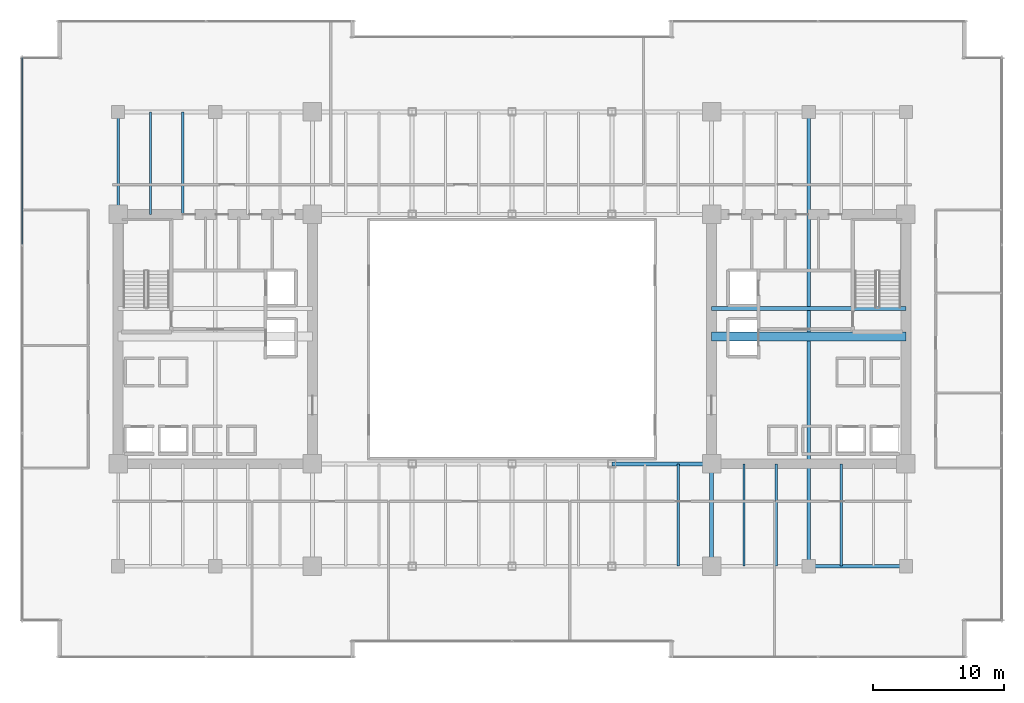
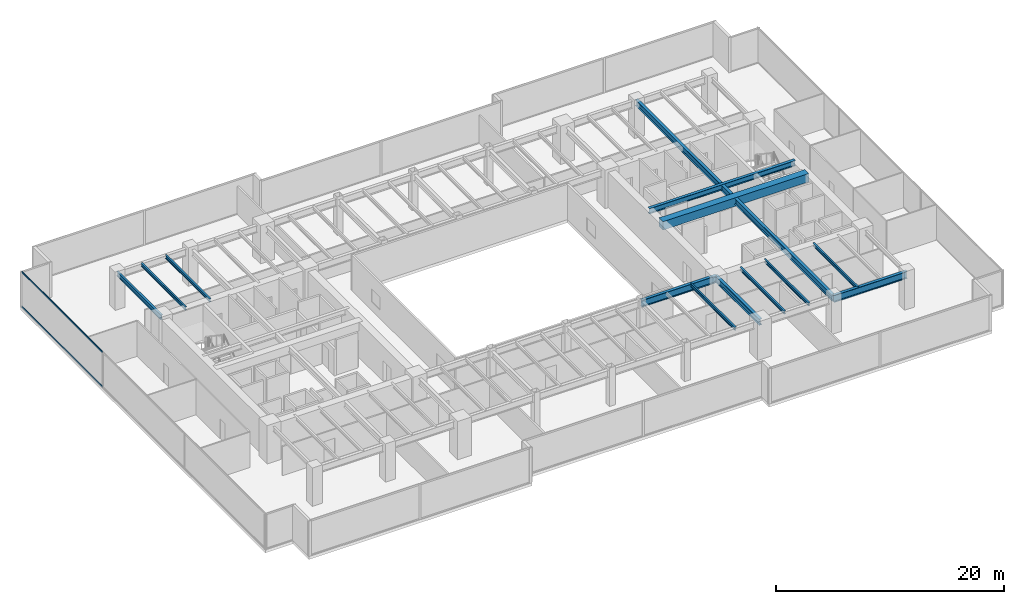
# One storey, part 11 of 35: 13 beams, 2 members, 1 element without a shape of its own.
"""IFC4 building model written with IfcOpenShell, lengths in metres."""

import ifcopenshell
import ifcopenshell.guid

model = None  # the IFC model being written
_history = None  # IfcOwnerHistory: only IFC2X3 demands one
_inside = {}  # id of a spatial element -> (the spatial element, [elements in it])
_under = {}  # id of a project, library or spatial element -> (it, [spatial elements below it])
_declared = {}  # id of a project -> (the project, [libraries it declares])
_typed = {}  # id of a type object -> (the type object, [elements of that type])
_made_of = {}  # id of a material, layer set ... -> (it, [elements and type objects made of it])


def new_model(schema):
    """Start an empty IFC model of exactly this schema.

    Asked for "IFC4X3", IfcOpenShell would pick the latest addendum, in which some entities
    have other attributes; the version numbers below select the first issue.
    IFC2X3 requires an IfcOwnerHistory on every rooted entity: one is made here for all.
    """
    global model, _history
    if schema == "IFC4X3":
        model = ifcopenshell.file(schema_version=(4, 3, 0, 0))
    else:
        model = ifcopenshell.file(schema=schema)
    _inside.clear()
    _under.clear()
    _declared.clear()
    _typed.clear()
    _made_of.clear()
    _history = None
    if model.schema == "IFC2X3":
        org = make("IfcOrganization", Name="unknown")
        user = make(
            "IfcPersonAndOrganization",
            ThePerson=make("IfcPerson", FamilyName="unknown"),
            TheOrganization=org,
        )
        app = make(
            "IfcApplication",
            ApplicationDeveloper=org,
            Version="unknown",
            ApplicationFullName="unknown",
            ApplicationIdentifier="unknown",
        )
        _history = make(
            "IfcOwnerHistory",
            OwningUser=user,
            OwningApplication=app,
            ChangeAction="ADDED",
            CreationDate=0,
        )
    return model


def make(cls, **values):
    """One entity of the class cls with the attributes given. An attribute that is None is left unset."""
    return model.create_entity(
        cls, **{name: value for name, value in values.items() if value is not None}
    )


def rooted(cls, **values):
    """An entity with a GlobalId (a new one), such as an element, a storey or a relation."""
    return make(cls, GlobalId=ifcopenshell.guid.new(), OwnerHistory=_history, **values)


def si_unit(unit_type, name, prefix=None):
    """IfcSIUnit, for example si_unit("LENGTHUNIT", "METRE", prefix="MILLI")."""
    return make("IfcSIUnit", UnitType=unit_type, Prefix=prefix, Name=name)


def assignment(units):
    """IfcUnitAssignment: the units of a project."""
    return None if units is None else make("IfcUnitAssignment", Units=units)


def point(xyz):
    """IfcCartesianPoint."""
    return None if xyz is None else make("IfcCartesianPoint", Coordinates=xyz)


def direction(xyz):
    """IfcDirection."""
    return None if xyz is None else make("IfcDirection", DirectionRatios=xyz)


def frame(location, z_axis=None, x_axis=None):
    """IfcAxis2Placement3D, a coordinate frame: its origin and axes. An axis left out is left unset."""
    return make(
        "IfcAxis2Placement3D",
        Location=point(location),
        Axis=direction(z_axis),
        RefDirection=direction(x_axis),
    )


def frame_2d(location, x_axis=None):
    """IfcAxis2Placement2D, a coordinate frame in the plane: its origin and x axis."""
    return make(
        "IfcAxis2Placement2D", Location=point(location), RefDirection=direction(x_axis)
    )


def origin():
    """The frame at (0, 0, 0) with its axes left unset."""
    return frame((0.0, 0.0, 0.0))


def origin_2d():
    """The frame at (0, 0) in the plane with its x axis left unset."""
    return frame_2d((0.0, 0.0))


def place(relative_to, where):
    """IfcLocalPlacement: puts the frame where relative to a parent placement (None: the world)."""
    return make(
        "IfcLocalPlacement", PlacementRelTo=relative_to, RelativePlacement=where
    )


def context(
    kind, dimensions, precision=None, world=None, true_north=None, identifier=None
):
    """IfcGeometricRepresentationContext, for example the 3D "Model" context."""
    return make(
        "IfcGeometricRepresentationContext",
        ContextIdentifier=identifier,
        ContextType=kind,
        CoordinateSpaceDimension=dimensions,
        Precision=precision,
        WorldCoordinateSystem=world,
        TrueNorth=true_north,
    )


def subcontext(parent, identifier, kind, view, scale=None):
    """IfcGeometricRepresentationSubContext, for example "Body" below "Model"."""
    return make(
        "IfcGeometricRepresentationSubContext",
        ContextIdentifier=identifier,
        ContextType=kind,
        ParentContext=parent,
        TargetScale=scale,
        TargetView=view,
    )


def project(units=None, contexts=None):
    """IfcProject with its units and contexts."""
    return rooted(
        "IfcProject",
        Name="project",
        RepresentationContexts=contexts,
        UnitsInContext=assignment(units),
    )


def spatial(cls, under=None, at=None, **own):
    """A site, building, storey or space (cls), placed at a placement, below another one or the project."""
    s = rooted(cls, ObjectPlacement=at, **own)
    if under is not None:
        _under.setdefault(under.id(), (under, []))[1].append(s)
    return s


def profile(cls, at=None, kind="AREA", **sizes):
    """A parametric profile (cls). Its sizes go by their IFC names, for example OverallWidth=200.0."""
    return make(cls, ProfileType=kind, Position=at, **sizes)


def rectangle(**sizes):
    """IfcRectangleProfileDef."""
    return profile("IfcRectangleProfileDef", **sizes)


def hollow_rectangle(**sizes):
    """IfcRectangleHollowProfileDef."""
    return profile("IfcRectangleHollowProfileDef", **sizes)


def i_section(**sizes):
    """IfcIShapeProfileDef."""
    return profile("IfcIShapeProfileDef", **sizes)


def extrude(swept, where, along, depth):
    """IfcExtrudedAreaSolid: the profile swept, set in the frame where, extruded along a direction by depth."""
    return make(
        "IfcExtrudedAreaSolid",
        SweptArea=swept,
        Position=where,
        ExtrudedDirection=direction(along),
        Depth=depth,
    )


def shape(context_of_items, identifier, shape_type, items):
    """IfcShapeRepresentation: the items that make up one representation, for example the "Body"."""
    return make(
        "IfcShapeRepresentation",
        ContextOfItems=context_of_items,
        RepresentationIdentifier=identifier,
        RepresentationType=shape_type,
        Items=items,
    )


def source(mapping_origin, context_of_items, identifier, shape_type, items):
    """IfcRepresentationMap: a shape defined once, which mapped items show again and again."""
    return make(
        "IfcRepresentationMap",
        MappingOrigin=mapping_origin,
        MappedRepresentation=shape(context_of_items, identifier, shape_type, items),
    )


def transform(
    local_origin,
    x_axis=None,
    y_axis=None,
    z_axis=None,
    scale=None,
    scale2=None,
    scale3=None,
    uniform=True,
):
    """IfcCartesianTransformationOperator3D, or its non-uniform kind. x_axis, y_axis, z_axis: its Axis1, 2, 3."""
    if uniform:
        return make(
            "IfcCartesianTransformationOperator3D",
            Axis1=direction(x_axis),
            Axis2=direction(y_axis),
            LocalOrigin=point(local_origin),
            Scale=scale,
            Axis3=direction(z_axis),
        )
    return make(
        "IfcCartesianTransformationOperator3DnonUniform",
        Axis1=direction(x_axis),
        Axis2=direction(y_axis),
        LocalOrigin=point(local_origin),
        Scale=scale,
        Axis3=direction(z_axis),
        Scale2=scale2,
        Scale3=scale3,
    )


def mapped(mapping_source, mapping_target):
    """IfcMappedItem: shows the shape of a source again, moved by a transform."""
    return make(
        "IfcMappedItem", MappingSource=mapping_source, MappingTarget=mapping_target
    )


def material(Name=None, Category=None):
    """IfcMaterial."""
    return make("IfcMaterial", Name=Name, Category=Category)


def layer(
    of_material, thickness, ventilated=None, Name=None, Category=None, Priority=None
):
    """IfcMaterialLayer: one layer of a wall or slab, of a material (None: an air gap)."""
    return make(
        "IfcMaterialLayer",
        Material=of_material,
        LayerThickness=thickness,
        IsVentilated=ventilated,
        Name=Name,
        Category=Category,
        Priority=Priority,
    )


def layer_set(layers, Name=None):
    """IfcMaterialLayerSet."""
    return make("IfcMaterialLayerSet", MaterialLayers=layers, LayerSetName=Name)


def material_profile(
    of_material, cross_section, Name=None, Category=None, Priority=None
):
    """IfcMaterialProfile: a cross section and its material."""
    return make(
        "IfcMaterialProfile",
        Name=Name,
        Material=of_material,
        Profile=cross_section,
        Priority=Priority,
        Category=Category,
    )


def profile_set(profiles, Name=None, composite=None):
    """IfcMaterialProfileSet."""
    return make(
        "IfcMaterialProfileSet",
        Name=Name,
        MaterialProfiles=profiles,
        CompositeProfile=composite,
    )


def made_of(thing, what):
    """Note that an element or type object is made of a material, layer set ...; save() writes the relation."""
    if what is not None:
        _made_of.setdefault(what.id(), (what, []))[1].append(thing)
    return thing


def type_object(cls, material=None, **own):
    """A type object (cls), such as IfcWallType, which elements share."""
    return made_of(rooted(cls, **own), material)


def type_shapes(of_type, sources):
    """Give a type object the sources (RepresentationMaps) that its elements show as mapped items."""
    of_type.RepresentationMaps = sources


def element(
    cls,
    number,
    at=None,
    inside=None,
    cuts=None,
    type_object=None,
    material=None,
    context=None,
    identifier="Body",
    shape_type=None,
    held_by="IfcProductDefinitionShape",
    body=None,
    shapes=None,
    **own,
):
    """One element of the class cls, such as IfcWall. Its Tag is "e" and its number.

    at: its placement. inside: the storey or other place that contains it. cuts: it is an
    opening in that element (IfcRelVoidsElement). A single representation is given by context,
    identifier, shape_type and body (its items); several are given by shapes. held_by: the class
    of the entity that holds the representations. save() writes the other relations.
    """
    e = rooted(cls, Tag="e%d" % number, ObjectPlacement=at, **own)
    if body is not None:
        shapes = [shape(context, identifier, shape_type, body)]
    if shapes is not None:
        e.Representation = make(held_by, Representations=shapes)
    if inside is not None:
        _inside.setdefault(inside.id(), (inside, []))[1].append(e)
    if cuts is not None:
        rooted(
            "IfcRelVoidsElement", RelatingBuildingElement=cuts, RelatedOpeningElement=e
        )
    if type_object is not None:
        _typed.setdefault(type_object.id(), (type_object, []))[1].append(e)
    return made_of(e, material)


def aggregate(whole, parts):
    """IfcRelAggregates: a whole, such as a stair, and the parts it consists of."""
    return rooted("IfcRelAggregates", RelatingObject=whole, RelatedObjects=parts)


def save(model, path):
    """Write the relations noted so far, then the file.

    IfcRelAggregates (storeys below a building ...), IfcRelContainedInSpatialStructure (elements
    in a storey), IfcRelDefinesByType, IfcRelAssociatesMaterial and IfcRelDeclares: one each for
    every whole, place, type object, material and project.
    """
    for whole, parts in _under.values():
        aggregate(whole, parts)
    for where, things in _inside.values():
        rooted(
            "IfcRelContainedInSpatialStructure",
            RelatedElements=things,
            RelatingStructure=where,
        )
    for kind, things in _typed.values():
        rooted("IfcRelDefinesByType", RelatedObjects=things, RelatingType=kind)
    for what, things in _made_of.values():
        rooted("IfcRelAssociatesMaterial", RelatedObjects=things, RelatingMaterial=what)
    for by, libraries in _declared.values():
        rooted("IfcRelDeclares", RelatingContext=by, RelatedDefinitions=libraries)
    model.write(path)


model = new_model("IFC4")

# Units and contexts
model_context = context("Model", 3, precision=1e-05, world=origin(), true_north=direction((0.0, 1.0)))
body_context = subcontext(model_context, "Body", "Model", "MODEL_VIEW")
ifc_project = project(units=[si_unit("LENGTHUNIT", "METRE"), si_unit("AREAUNIT", "SQUARE_METRE"), si_unit("VOLUMEUNIT", "CUBIC_METRE"), si_unit("PLANEANGLEUNIT", "RADIAN"), si_unit("MASSUNIT", "GRAM", prefix="KILO")], contexts=[model_context])

# Site, building, storey
site_placement = place(None, origin())
site = spatial("IfcSite", under=ifc_project, at=site_placement, CompositionType="ELEMENT")
building_placement = place(site_placement, origin())
building = spatial("IfcBuilding", under=site, at=building_placement, Name="Haelvirn Gate Laboratories", CompositionType="ELEMENT")
storey_placement = place(building_placement, frame((0.0, 0.0, 82.60009765625)))
storey = spatial("IfcBuildingStorey", under=building, at=storey_placement, Name="L20", CompositionType="ELEMENT", Elevation=82.60009765625)

# Beams
ifc_material_1 = material(Name="Concrete C60/75", Category="concrete")
ifc_material_profile_1 = material_profile(ifc_material_1, rectangle(XDim=0.699951171875, YDim=0.89990234375, at=origin_2d()), Name="RCB-700x900")
ifc_profile_set_1 = profile_set([ifc_material_profile_1], Name="Concrete C60/75")
beam_type_1 = type_object("IfcBeamType", Name="BM-RCB-900", PredefinedType="LINTEL", material=ifc_profile_set_1)
shared_shape_1 = source(origin(), body_context, "Body", "SweptSolid", [
    extrude(rectangle(XDim=0.699951171875, YDim=0.89990234375, at=origin_2d()), origin(), (0.0, 0.0, 1.0), 14.7998046875),
])
type_shapes(beam_type_1, [shared_shape_1])
beam_1_placement = place(storey_placement, frame((52.60009765625, 24.5, 3.329833984375), z_axis=(1.0, 0.0, 0.0), x_axis=(0.0, 1.0, 0.0)))
element("IfcBeam", 1, at=beam_1_placement, inside=storey, type_object=beam_type_1, Name="L20 East Core Coupling Beam", PredefinedType="LINTEL", context=body_context, shape_type="MappedRepresentation", body=[
    mapped(shared_shape_1, transform((0.0, 0.0, 0.0), scale=1.0)),
])
ifc_material_2 = material(Name="Steel SM355", Category="steel")
ifc_material_profile_2 = material_profile(ifc_material_2, i_section(OverallWidth=0.300048828125, OverallDepth=0.587890625, WebThickness=0.011962890625, FlangeThickness=0.02001953125, at=origin_2d()), Name="H-588x300x12x20")
ifc_profile_set_2 = profile_set([ifc_material_profile_2], Name="Steel SM355")
beam_type_2 = type_object("IfcBeamType", Name="BM-G-588", PredefinedType="BEAM", material=ifc_profile_set_2)
shared_shape_2 = source(origin(), body_context, "Body", "SweptSolid", [
    extrude(i_section(OverallWidth=0.300048828125, OverallDepth=0.587890625, WebThickness=0.011962890625, FlangeThickness=0.02001953125, at=origin_2d()), origin(), (0.0, 0.0, 1.0), 14.7998046875),
])
type_shapes(beam_type_2, [shared_shape_2])
beam_2_placement = place(storey_placement, frame((52.60009765625, 26.6201171875, 3.48583984375), z_axis=(1.0, 0.0, 0.0), x_axis=(0.0, 1.0, 0.0)))
element("IfcBeam", 2, at=beam_2_placement, inside=storey, type_object=beam_type_2, Name="L20 Stair ST2 Landing Header", PredefinedType="BEAM", context=body_context, shape_type="MappedRepresentation", body=[
    mapped(shared_shape_2, transform((0.0, 0.0, 0.0), scale=1.0)),
])
ifc_material_profile_3 = material_profile(ifc_material_2, i_section(OverallWidth=0.300048828125, OverallDepth=0.75, WebThickness=0.013916015625, FlangeThickness=0.02392578125, at=origin_2d()), Name="H-750x300x14x24")
ifc_profile_set_3 = profile_set([ifc_material_profile_3], Name="Steel SM355")
beam_type_3 = type_object("IfcBeamType", Name="BM-G-750", PredefinedType="BEAM", material=ifc_profile_set_3)
shared_shape_3 = source(origin(), body_context, "Body", "SweptSolid", [
    extrude(i_section(OverallWidth=0.300048828125, OverallDepth=0.75, WebThickness=0.013916015625, FlangeThickness=0.02392578125, at=origin_2d()), origin(), (0.0, 0.0, 1.0), 7.39990234375),
])
beam_3_placement = place(storey_placement, frame((60.0, 7.0, 3.40478515625), z_axis=(1.0, 0.0, 0.0), x_axis=(0.0, 1.0, 0.0)))
element("IfcBeam", 3, at=beam_3_placement, inside=storey, type_object=beam_type_3, Name="L20 Primary Girder Y7.0 (60.0-67.4)", PredefinedType="BEAM", context=body_context, shape_type="MappedRepresentation", body=[
    mapped(shared_shape_3, transform((0.0, 0.0, 0.0), scale=1.0)),
])
shared_shape_4 = source(origin(), body_context, "Body", "SweptSolid", [
    extrude(i_section(OverallWidth=0.300048828125, OverallDepth=0.75, WebThickness=0.013916015625, FlangeThickness=0.02392578125, at=origin_2d()), origin(), (0.0, 0.0, 1.0), 7.60009765625),
])
type_shapes(beam_type_3, [shared_shape_3, shared_shape_4])
beam_4_placement = place(storey_placement, frame((45.0, 14.800048828125, 3.40478515625), z_axis=(1.0, 0.0, 0.0), x_axis=(0.0, 1.0, 0.0)))
element("IfcBeam", 4, at=beam_4_placement, inside=storey, type_object=beam_type_3, Name="L20 Primary Girder Y14.8 (45.0-52.6)", PredefinedType="BEAM", context=body_context, shape_type="MappedRepresentation", body=[
    mapped(shared_shape_4, transform((0.0, 0.0, 0.0), scale=1.0)),
])
ifc_material_profile_4 = material_profile(ifc_material_2, i_section(OverallWidth=0.199951171875, OverallDepth=0.5, WebThickness=0.010009765625, FlangeThickness=0.01611328125, at=origin_2d()), Name="H-500x200x10x16")
ifc_profile_set_4 = profile_set([ifc_material_profile_4], Name="Steel SM355")
beam_type_4 = type_object("IfcBeamType", Name="BM-SP-500", PredefinedType="SPANDREL", material=ifc_profile_set_4)
shared_shape_5 = source(origin(), body_context, "Body", "SweptSolid", [
    extrude(i_section(OverallWidth=0.199951171875, OverallDepth=0.5, WebThickness=0.010009765625, FlangeThickness=0.01611328125, at=origin_2d()), origin(), (0.0, 0.0, 1.0), 7.800048828125),
])
type_shapes(beam_type_4, [shared_shape_5])
beam_5_placement = place(storey_placement, frame((7.39990234375, 33.800048828125, 3.52978515625), z_axis=(0.0, 1.0, 0.0), x_axis=(-1.0, 0.0, 0.0)))
element("IfcBeam", 5, at=beam_5_placement, inside=storey, type_object=beam_type_4, Name="L20 Perimeter Spandrel X7.4 (33.8-41.6)", PredefinedType="SPANDREL", context=body_context, shape_type="MappedRepresentation", body=[
    mapped(shared_shape_5, transform((0.0, 0.0, 0.0), scale=1.0)),
])
ifc_material_profile_5 = material_profile(ifc_material_2, i_section(OverallWidth=0.175048828125, OverallDepth=0.35009765625, WebThickness=0.007080078125, FlangeThickness=0.010986328125, at=origin_2d()), Name="H-350x175x7x11")
ifc_profile_set_5 = profile_set([ifc_material_profile_5], Name="Steel SM355")
beam_type_5 = type_object("IfcBeamType", Name="BM-J-350", PredefinedType="JOIST", material=ifc_profile_set_5)
shared_shape_6 = source(origin(), body_context, "Body", "SweptSolid", [
    extrude(i_section(OverallWidth=0.175048828125, OverallDepth=0.35009765625, WebThickness=0.007080078125, FlangeThickness=0.010986328125, at=origin_2d()), origin(), (0.0, 0.0, 1.0), 7.800048828125),
])
type_shapes(beam_type_5, [shared_shape_6])
for number, where, z_axis, x_axis, name in (
    (6, (9.8701171875, 33.800048828125, 3.60498046875), (0.0, 1.0, 0.0), (-1.0, 0.0, 0.0), "L20 Composite Lab Joist North X9.87"),
    (7, (12.330078125, 33.800048828125, 3.60498046875), (0.0, 1.0, 0.0), (-1.0, 0.0, 0.0), "L20 Composite Lab Joist North X12.33"),
    (8, (50.070068359375, 7.0, 3.60498046875), (0.0, 1.0, 0.0), (-1.0, 0.0, 0.0), "L20 Composite Lab Joist South X50.07"),
    (9, (55.070068359375, 7.0, 3.60498046875), (0.0, 1.0, 0.0), (-1.0, 0.0, 0.0), "L20 Composite Lab Joist South X55.07"),
    (10, (57.530029296875, 7.0, 3.60498046875), (0.0, 1.0, 0.0), (-1.0, 0.0, 0.0), "L20 Composite Lab Joist South X57.53"),
    (11, (62.469970703125, 7.0, 3.60498046875), (0.0, 1.0, 0.0), (-1.0, 0.0, 0.0), "L20 Composite Lab Joist South X62.47"),
):
    element("IfcBeam", number, at=place(storey_placement, frame(where, z_axis=z_axis, x_axis=x_axis)), inside=storey, type_object=beam_type_5, Name=name, PredefinedType="JOIST", context=body_context, shape_type="MappedRepresentation", body=[
        mapped(shared_shape_6, transform((0.0, 0.0, 0.0), scale=1.0)),
    ])
ifc_material_profile_6 = material_profile(ifc_material_2, i_section(OverallWidth=0.300048828125, OverallDepth=0.64990234375, WebThickness=0.012939453125, FlangeThickness=0.02197265625, at=origin_2d()), Name="H-650x300x13x22")
ifc_profile_set_6 = profile_set([ifc_material_profile_6], Name="Steel SM355")
beam_type_6 = type_object("IfcBeamType", Name="BM-G-650", PredefinedType="BEAM", material=ifc_profile_set_6)
shared_shape_7 = source(origin(), body_context, "Body", "SweptSolid", [
    extrude(i_section(OverallWidth=0.300048828125, OverallDepth=0.64990234375, WebThickness=0.012939453125, FlangeThickness=0.02197265625, at=origin_2d()), origin(), (0.0, 0.0, 1.0), 34.60009765625),
])
beam_6_placement = place(storey_placement, frame((60.0, 7.0, 3.454833984375), z_axis=(0.0, 1.0, 0.0), x_axis=(-1.0, 0.0, 0.0)))
element("IfcBeam", 12, at=beam_6_placement, inside=storey, type_object=beam_type_6, Name="L20 Frame Girder X60.0 (7.0-41.6)", PredefinedType="BEAM", context=body_context, shape_type="MappedRepresentation", body=[
    mapped(shared_shape_7, transform((0.0, 0.0, 0.0), scale=1.0)),
])
shared_shape_8 = source(origin(), body_context, "Body", "SweptSolid", [
    extrude(i_section(OverallWidth=0.300048828125, OverallDepth=0.64990234375, WebThickness=0.012939453125, FlangeThickness=0.02197265625, at=origin_2d()), origin(), (0.0, 0.0, 1.0), 7.800048828125),
])
type_shapes(beam_type_6, [shared_shape_7, shared_shape_8])
beam_7_placement = place(storey_placement, frame((52.60009765625, 7.0, 3.454833984375), z_axis=(0.0, 1.0, 0.0), x_axis=(-1.0, 0.0, 0.0)))
element("IfcBeam", 13, at=beam_7_placement, inside=storey, type_object=beam_type_6, Name="L20 Frame Girder X52.6 (7.0-14.8)", PredefinedType="BEAM", context=body_context, shape_type="MappedRepresentation", body=[
    mapped(shared_shape_8, transform((0.0, 0.0, 0.0), scale=1.0)),
])

# Curtain wall, members
ifc_material_3 = material(Name="Anodised bronze unitised aluminium & triple low-E glass", Category="aluminium")
ifc_layer = layer(ifc_material_3, 0.18408203125, Name="CW-SYS-2")
ifc_layer_set = layer_set([ifc_layer], Name="Anodised bronze unitised aluminium & triple low-E glass")
curtain_wall_type = type_object("IfcCurtainWallType", Name="CW-SYS-2", PredefinedType="NOTDEFINED", material=ifc_layer_set)
curtain_wall_placement = place(storey_placement, origin())
curtain_wall = element("IfcCurtainWall", 14, at=curtain_wall_placement, inside=storey, type_object=curtain_wall_type, Name="L20 Unitised Curtain Wall CW-L20-P0-E17", PredefinedType="NOTDEFINED")
ifc_material_4 = material(Name="Extruded aluminium 6063-T6 (anodised bronze)", Category="aluminium")
ifc_material_profile_7 = material_profile(ifc_material_4, hollow_rectangle(XDim=0.070068359375, YDim=0.159912109375, WallThickness=0.0048828125, at=origin_2d()), Name="CWT-160x70x5")
ifc_profile_set_7 = profile_set([ifc_material_profile_7], Name="Extruded aluminium 6063-T6 (anodised bronze)")
member_type = type_object("IfcMemberType", Name="CWT-T160", PredefinedType="USERDEFINED", material=ifc_profile_set_7)
shared_shape_9 = source(origin(), body_context, "Body", "SweptSolid", [
    extrude(hollow_rectangle(XDim=0.070068359375, YDim=0.159912109375, WallThickness=0.0048828125, at=origin_2d()), origin(), (0.0, 0.0, 1.0), 14.220947265625),
])
type_shapes(member_type, [shared_shape_9])
member_1_placement = place(storey_placement, frame((0.10009765625, 45.72509765625, 0.034912109375), z_axis=(0.0, -1.0, 0.0), x_axis=(1.0, 0.0, 0.0)))
member_1 = element("IfcMember", 15, at=member_1_placement, type_object=member_type, Name="CW2 transom 1.1", ObjectType="TRANSOM", PredefinedType="USERDEFINED", context=body_context, shape_type="MappedRepresentation", body=[
    mapped(shared_shape_9, transform((0.0, 0.0, 0.0), scale=1.0)),
])
member_2_placement = place(storey_placement, frame((0.10009765625, 45.72509765625, 3.744873046875), z_axis=(0.0, -1.0, 0.0), x_axis=(1.0, 0.0, 0.0)))
member_2 = element("IfcMember", 16, at=member_2_placement, type_object=member_type, Name="CW2 transom 1.2", ObjectType="TRANSOM", PredefinedType="USERDEFINED", context=body_context, shape_type="MappedRepresentation", body=[
    mapped(shared_shape_9, transform((0.0, 0.0, 0.0), scale=1.0)),
])
aggregate(curtain_wall, [member_1, member_2])

save(model, "model.ifc")
